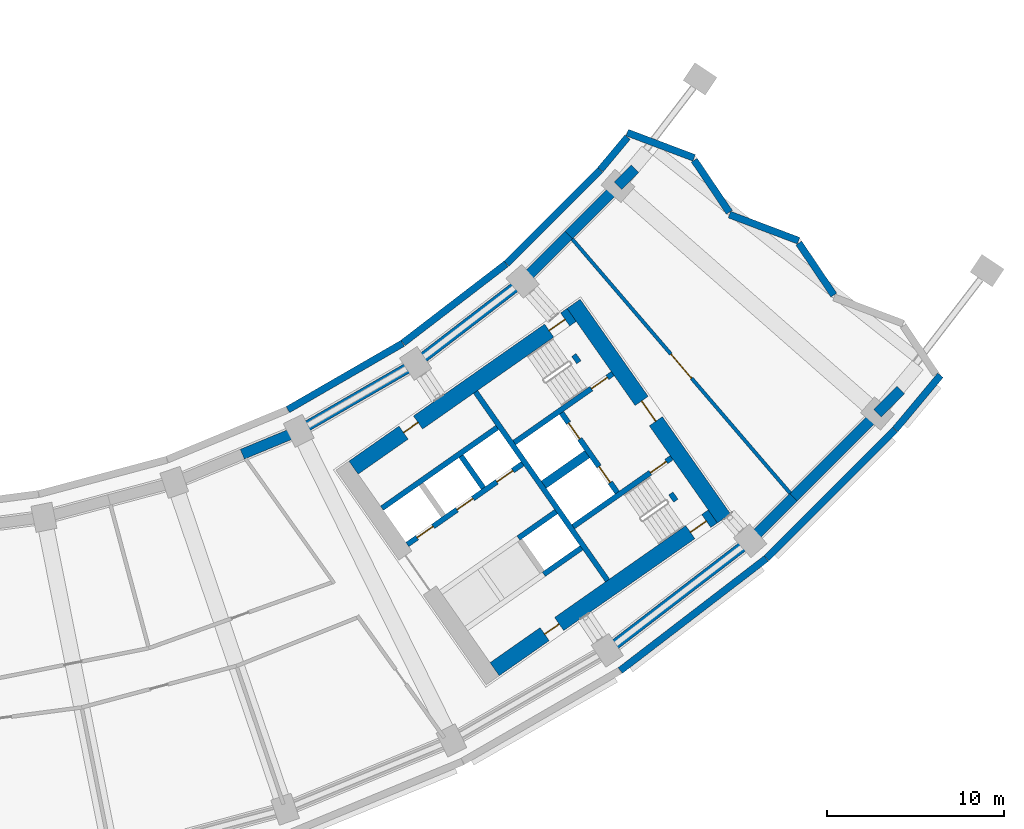
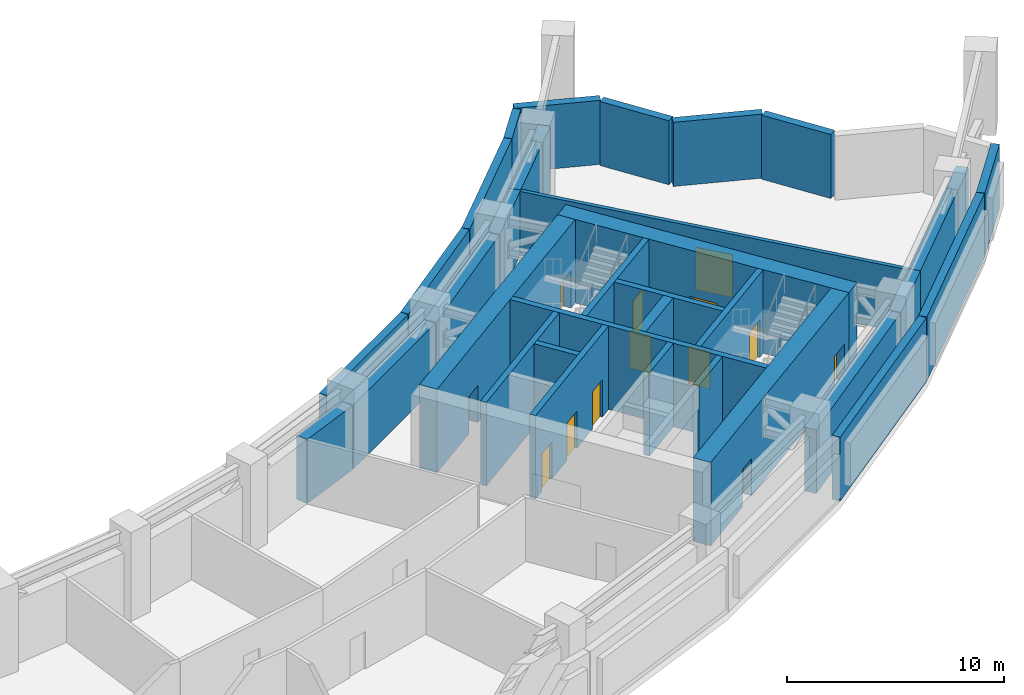
# One storey, part 9 of 25: 37 walls, 13 doors, 13 openings.
"""IFC4 building model written with IfcOpenShell, lengths in metres."""

from ifc_helpers import new_model, si_unit, direction, frame, frame_2d, origin, place, context, subcontext, project, spatial, rectangle, extrude, material, layer, layer_set, type_object, element, fill, save


model = new_model("IFC4")

# Units and contexts
model_context = context("Model", 3, precision=1e-05, world=origin(), true_north=direction((0.0, 1.0)))
body_context = subcontext(model_context, "Body", "Model", "MODEL_VIEW")
ifc_project = project(units=[si_unit("LENGTHUNIT", "METRE"), si_unit("AREAUNIT", "SQUARE_METRE"), si_unit("VOLUMEUNIT", "CUBIC_METRE"), si_unit("PLANEANGLEUNIT", "RADIAN"), si_unit("MASSUNIT", "GRAM", prefix="KILO")], contexts=[model_context])

# Site, building, storey
site_placement = place(None, origin())
site = spatial("IfcSite", under=ifc_project, at=site_placement, CompositionType="ELEMENT")
building_placement = place(site_placement, origin())
building = spatial("IfcBuilding", under=site, at=building_placement, Name="Qamariyya Broadcast Tower", CompositionType="ELEMENT")
storey_placement = place(building_placement, frame((0.0, 0.0, 144.300048828125)))
storey = spatial("IfcBuildingStorey", under=building, at=storey_placement, Name="L33", CompositionType="ELEMENT", Elevation=144.300048828125)

# Wall, opening, door
ifc_material_1 = material(Name="Concrete C70/85", Category="concrete")
ifc_layer_1 = layer(ifc_material_1, 0.89990234375)
ifc_layer_set_1 = layer_set([ifc_layer_1], Name="Core wall 900 mm Concrete C70/85")
wall_type_1 = type_object("IfcWallType", Name="Core wall 900 mm Concrete C70/85", PredefinedType="SHEAR", material=ifc_layer_set_1)
wall_1_placement = place(storey_placement, frame((49.778564453125, -57.191162109375, 0.0), z_axis=(0.0, 0.0, 1.0), x_axis=(-0.573577477574, 0.819151315216, 0.0)))
wall_1 = element("IfcWall", 1, at=wall_1_placement, inside=storey, type_object=wall_type_1, Name="k-E-L33-WH", PredefinedType="SHEAR", context=body_context, shape_type="SweptSolid", body=[
    extrude(rectangle(XDim=14.800048828125, YDim=0.89990234375, at=frame_2d((7.39990234375, 0.0))), origin(), (0.0, 0.0, 1.0), 4.699951171875),
])
opening_1_placement = place(wall_1_placement, frame((6.699951171875, 0.0, 0.0)))
opening_1 = element("IfcOpeningElement", 2, at=opening_1_placement, cuts=wall_1, Name="Opening KD2-E1", PredefinedType="OPENING", context=body_context, shape_type="SweptSolid", body=[
    extrude(rectangle(XDim=1.39990234375, YDim=2.10009765625, at=frame_2d((0.699951171875, 1.050048828125))), frame((0.0, 0.4599609375, 0.0), z_axis=(0.0, -1.0, 0.0), x_axis=(1.0, 0.0, 0.0)), (0.0, 0.0, 1.0), 0.919921875),
])
ifc_material_2 = material(Name="Steel fire-resisting door leaf", Category="steel")
door_type_1 = type_object("IfcDoorType", Name="Fire-fighting lobby door KD2", OperationType="DOUBLE_DOOR_SINGLE_SWING", PredefinedType="DOOR", material=ifc_material_2)
door_1_placement = place(opening_1_placement, origin())
door_1 = element("IfcDoor", 3, at=door_1_placement, inside=storey, type_object=door_type_1, Name="k-E-L33-WH-D9", OperationType="DOUBLE_DOOR_SINGLE_SWING", OverallHeight=2.10009765625, OverallWidth=1.39990234375, PredefinedType="DOOR", context=body_context, shape_type="SweptSolid", body=[
    extrude(rectangle(XDim=1.39990234375, YDim=2.10009765625, at=frame_2d((0.699951171875, 1.050048828125))), frame((0.0, 0.02490234375, 0.0), z_axis=(0.0, -1.0, 0.0), x_axis=(1.0, 0.0, 0.0)), (0.0, 0.0, 1.0), 0.050048828125),
])
fill(opening_1, door_1)

# Wall, openings, doors
wall_2_placement = place(storey_placement, frame((28.8544921875, -54.32421875, 0.0), z_axis=(0.0, 0.0, 1.0), x_axis=(0.819145767589, 0.573585400304, 0.0)))
wall_2 = element("IfcWall", 4, at=wall_2_placement, inside=storey, type_object=wall_type_1, Name="k-E-L33-WI", PredefinedType="SHEAR", context=body_context, shape_type="SweptSolid", body=[
    extrude(rectangle(XDim=15.04541015625, YDim=0.89990234375, at=frame_2d((7.522705078125, 0.0))), origin(), (0.0, 0.0, 1.0), 4.699951171875),
])
opening_2_placement = place(wall_2_placement, frame((3.449951171875, 0.0, 0.0)))
opening_2 = element("IfcOpeningElement", 5, at=opening_2_placement, cuts=wall_2, Name="Opening KD4-E1", PredefinedType="OPENING", context=body_context, shape_type="SweptSolid", body=[
    extrude(rectangle(XDim=1.0, YDim=2.10009765625, at=frame_2d((0.5, 1.050048828125))), frame((0.0, 0.4599609375, 0.0), z_axis=(0.0, -1.0, 0.0), x_axis=(1.0, 0.0, 0.0)), (0.0, 0.0, 1.0), 0.919921875),
])
opening_3_placement = place(wall_2_placement, frame((13.495361328125, 0.0, 0.0)))
opening_3 = element("IfcOpeningElement", 6, at=opening_3_placement, cuts=wall_2, Name="Opening KD1-E1", PredefinedType="OPENING", context=body_context, shape_type="SweptSolid", body=[
    extrude(rectangle(XDim=1.10009765625, YDim=2.10009765625, at=frame_2d((0.550048828125, 1.050048828125))), frame((0.0, 0.4599609375, 0.0), z_axis=(0.0, -1.0, 0.0), x_axis=(1.0, 0.0, 0.0)), (0.0, 0.0, 1.0), 0.919921875),
])
door_type_2 = type_object("IfcDoorType", Name="Riser and plant door KD4", OperationType="SINGLE_SWING_LEFT", PredefinedType="DOOR", material=ifc_material_2)
door_2_placement = place(opening_2_placement, origin())
door_2 = element("IfcDoor", 7, at=door_2_placement, inside=storey, type_object=door_type_2, Name="k-E-L33-WI-D5", OperationType="SINGLE_SWING_LEFT", OverallHeight=2.10009765625, OverallWidth=1.0, PredefinedType="DOOR", context=body_context, shape_type="SweptSolid", body=[
    extrude(rectangle(XDim=1.0, YDim=2.10009765625, at=frame_2d((0.5, 1.050048828125))), frame((0.0, 0.02490234375, 0.0), z_axis=(0.0, -1.0, 0.0), x_axis=(1.0, 0.0, 0.0)), (0.0, 0.0, 1.0), 0.050048828125),
])
fill(opening_2, door_2)
door_type_3 = type_object("IfcDoorType", Name="Stair door KD1", OperationType="SINGLE_SWING_LEFT", PredefinedType="DOOR", material=ifc_material_2)
door_3_placement = place(opening_3_placement, origin())
door_3 = element("IfcDoor", 8, at=door_3_placement, inside=storey, type_object=door_type_3, Name="k-E-L33-WI-D10", OperationType="SINGLE_SWING_RIGHT", OverallHeight=2.10009765625, OverallWidth=1.10009765625, PredefinedType="DOOR", context=body_context, shape_type="SweptSolid", body=[
    extrude(rectangle(XDim=1.10009765625, YDim=2.10009765625, at=frame_2d((0.550048828125, 1.050048828125))), frame((0.0, 0.02490234375, 0.0), z_axis=(0.0, -1.0, 0.0), x_axis=(1.0, 0.0, 0.0)), (0.0, 0.0, 1.0), 0.050048828125),
])
fill(opening_3, door_3)

wall_3_placement = place(storey_placement, frame((36.827392578125, -65.710205078125, 0.0), z_axis=(0.0, 0.0, 1.0), x_axis=(0.819153391756, 0.573574511963, 0.0)))
wall_3 = element("IfcWall", 9, at=wall_3_placement, inside=storey, type_object=wall_type_1, Name="k-E-L33-WO", PredefinedType="SHEAR", context=body_context, shape_type="SweptSolid", body=[
    extrude(rectangle(XDim=15.04541015625, YDim=0.89990234375, at=frame_2d((7.522705078125, 0.0))), origin(), (0.0, 0.0, 1.0), 4.699951171875),
])
opening_4_placement = place(wall_3_placement, frame((3.449951171875, 0.0, 0.0)))
opening_4 = element("IfcOpeningElement", 10, at=opening_4_placement, cuts=wall_3, Name="Opening KD4-E2", PredefinedType="OPENING", context=body_context, shape_type="SweptSolid", body=[
    extrude(rectangle(XDim=1.0, YDim=2.10009765625, at=frame_2d((0.5, 1.050048828125))), frame((0.0, 0.4599609375, 0.0), z_axis=(0.0, -1.0, 0.0), x_axis=(1.0, 0.0, 0.0)), (0.0, 0.0, 1.0), 0.919921875),
])
opening_5_placement = place(wall_3_placement, frame((13.495361328125, 0.0, 0.0)))
opening_5 = element("IfcOpeningElement", 11, at=opening_5_placement, cuts=wall_3, Name="Opening KD1-E3", PredefinedType="OPENING", context=body_context, shape_type="SweptSolid", body=[
    extrude(rectangle(XDim=1.10009765625, YDim=2.10009765625, at=frame_2d((0.550048828125, 1.050048828125))), frame((0.0, 0.4599609375, 0.0), z_axis=(0.0, -1.0, 0.0), x_axis=(1.0, 0.0, 0.0)), (0.0, 0.0, 1.0), 0.919921875),
])
door_4_placement = place(opening_4_placement, origin())
door_4 = element("IfcDoor", 12, at=door_4_placement, inside=storey, type_object=door_type_2, Name="k-E-L33-WO-D6", OperationType="SINGLE_SWING_RIGHT", OverallHeight=2.10009765625, OverallWidth=1.0, PredefinedType="DOOR", context=body_context, shape_type="SweptSolid", body=[
    extrude(rectangle(XDim=1.0, YDim=2.10009765625, at=frame_2d((0.5, 1.050048828125))), frame((0.0, 0.02490234375, 0.0), z_axis=(0.0, -1.0, 0.0), x_axis=(1.0, 0.0, 0.0)), (0.0, 0.0, 1.0), 0.050048828125),
])
fill(opening_4, door_4)
door_5_placement = place(opening_5_placement, origin())
door_5 = element("IfcDoor", 13, at=door_5_placement, inside=storey, type_object=door_type_3, Name="k-E-L33-WO-D12", OperationType="SINGLE_SWING_LEFT", OverallHeight=2.10009765625, OverallWidth=1.10009765625, PredefinedType="DOOR", context=body_context, shape_type="SweptSolid", body=[
    extrude(rectangle(XDim=1.10009765625, YDim=2.10009765625, at=frame_2d((0.550048828125, 1.050048828125))), frame((0.0, 0.02490234375, 0.0), z_axis=(0.0, -1.0, 0.0), x_axis=(1.0, 0.0, 0.0)), (0.0, 0.0, 1.0), 0.050048828125),
])
fill(opening_5, door_5)

# Walls
ifc_material_3 = material(Name="Concrete C60/75", Category="concrete")
ifc_layer_2 = layer(ifc_material_3, 0.5)
ifc_layer_set_2 = layer_set([ifc_layer_2], Name="Fire-fighting lobby divider wall 500 mm Concrete C60/75")
wall_type_2 = type_object("IfcWallType", Name="Fire-fighting lobby divider wall 500 mm Concrete C60/75", PredefinedType="SOLIDWALL", material=ifc_layer_set_2)
wall_4_placement = place(storey_placement, frame((39.59912109375, -55.28515625, 0.0), z_axis=(0.0, 0.0, 1.0), x_axis=(0.819136323161, 0.573598887793, 0.0)))
element("IfcWall", 14, at=wall_4_placement, inside=storey, type_object=wall_type_2, Name="k-E-L33-FD", PredefinedType="SOLIDWALL", context=body_context, shape_type="SweptSolid", body=[
    extrude(rectangle(XDim=2.999755859375, YDim=0.5, at=frame_2d((1.5, 0.0))), origin(), (0.0, 0.0, 1.0), 4.699951171875),
])
ifc_layer_3 = layer(ifc_material_3, 0.300048828125)
ifc_layer_set_3 = layer_set([ifc_layer_3], Name="Lift shaft wall 300 mm Concrete C60/75")
wall_type_3 = type_object("IfcWallType", Name="Lift shaft wall 300 mm Concrete C60/75", PredefinedType="SOLIDWALL", material=ifc_layer_set_3)
wall_5_placement = place(storey_placement, frame((43.204345703125, -60.69580078125, 0.0), z_axis=(0.0, 0.0, 1.0), x_axis=(-0.573571992966, 0.819155155563, 0.0)))
element("IfcWall", 15, at=wall_5_placement, inside=storey, type_object=wall_type_3, Name="k-E-L33-WL", PredefinedType="SOLIDWALL", context=body_context, shape_type="SweptSolid", body=[
    extrude(rectangle(XDim=13.000244140625, YDim=0.300048828125, at=frame_2d((6.5, 0.0))), origin(), (0.0, 0.0, 1.0), 4.699951171875),
])

# Wall, openings, doors
wall_6_placement = place(storey_placement, frame((31.89453125, -58.66552734375, 0.0), z_axis=(0.0, 0.0, 1.0), x_axis=(0.819166993208, 0.573555086491, 0.0)))
wall_6 = element("IfcWall", 16, at=wall_6_placement, inside=storey, type_object=wall_type_3, Name="k-E-L33-NF0", PredefinedType="SOLIDWALL", context=body_context, shape_type="SweptSolid", body=[
    extrude(rectangle(XDim=7.9501953125, YDim=0.300048828125, at=frame_2d((3.97509765625, 0.0))), origin(), (0.0, 0.0, 1.0), 4.699951171875),
])
opening_6_placement = place(wall_6_placement, frame((0.675048828125, 0.0, 0.0)))
opening_6 = element("IfcOpeningElement", 17, at=opening_6_placement, cuts=wall_6, Name="Opening LD", PredefinedType="OPENING", context=body_context, shape_type="SweptSolid", body=[
    extrude(rectangle(XDim=1.10009765625, YDim=2.10009765625, at=frame_2d((0.550048828125, 1.050048828125))), frame((0.0, 0.159912109375, 0.0), z_axis=(0.0, -1.0, 0.0), x_axis=(1.0, 0.0, 0.0)), (0.0, 0.0, 1.0), 0.320068359375),
])
opening_7_placement = place(wall_6_placement, frame((3.425048828125, 0.0, 0.0)))
opening_7 = element("IfcOpeningElement", 18, at=opening_7_placement, cuts=wall_6, Name="Opening LD", PredefinedType="OPENING", context=body_context, shape_type="SweptSolid", body=[
    extrude(rectangle(XDim=1.10009765625, YDim=2.10009765625, at=frame_2d((0.550048828125, 1.050048828125))), frame((0.0, 0.159912109375, 0.0), z_axis=(0.0, -1.0, 0.0), x_axis=(1.0, 0.0, 0.0)), (0.0, 0.0, 1.0), 0.320068359375),
])
opening_8_placement = place(wall_6_placement, frame((6.175048828125, 0.0, 0.0)))
opening_8 = element("IfcOpeningElement", 19, at=opening_8_placement, cuts=wall_6, Name="Opening LD", PredefinedType="OPENING", context=body_context, shape_type="SweptSolid", body=[
    extrude(rectangle(XDim=1.10009765625, YDim=2.10009765625, at=frame_2d((0.550048828125, 1.050048828125))), frame((0.0, 0.159912109375, 0.0), z_axis=(0.0, -1.0, 0.0), x_axis=(1.0, 0.0, 0.0)), (0.0, 0.0, 1.0), 0.320068359375),
])
door_type_4 = type_object("IfcDoorType", Name="Lift landing door LD", OperationType="DOUBLE_DOOR_SLIDING", PredefinedType="DOOR", material=ifc_material_2)
door_6_placement = place(opening_6_placement, origin())
door_6 = element("IfcDoor", 20, at=door_6_placement, inside=storey, type_object=door_type_4, Name="k-E-L33-NF0-D2", OperationType="DOUBLE_DOOR_SLIDING", OverallHeight=2.10009765625, OverallWidth=1.10009765625, PredefinedType="DOOR", context=body_context, shape_type="SweptSolid", body=[
    extrude(rectangle(XDim=1.10009765625, YDim=2.10009765625, at=frame_2d((0.550048828125, 1.050048828125))), frame((0.0, 0.02490234375, 0.0), z_axis=(0.0, -1.0, 0.0), x_axis=(1.0, 0.0, 0.0)), (0.0, 0.0, 1.0), 0.050048828125),
])
fill(opening_6, door_6)
door_7_placement = place(opening_7_placement, origin())
door_7 = element("IfcDoor", 21, at=door_7_placement, inside=storey, type_object=door_type_4, Name="k-E-L33-NF0-D3", OperationType="DOUBLE_DOOR_SLIDING", OverallHeight=2.10009765625, OverallWidth=1.10009765625, PredefinedType="DOOR", context=body_context, shape_type="SweptSolid", body=[
    extrude(rectangle(XDim=1.10009765625, YDim=2.10009765625, at=frame_2d((0.550048828125, 1.050048828125))), frame((0.0, 0.02490234375, 0.0), z_axis=(0.0, -1.0, 0.0), x_axis=(1.0, 0.0, 0.0)), (0.0, 0.0, 1.0), 0.050048828125),
])
fill(opening_7, door_7)
door_8_placement = place(opening_8_placement, origin())
door_8 = element("IfcDoor", 22, at=door_8_placement, inside=storey, type_object=door_type_4, Name="k-E-L33-NF0-D4", OperationType="DOUBLE_DOOR_SLIDING", OverallHeight=2.10009765625, OverallWidth=1.10009765625, PredefinedType="DOOR", context=body_context, shape_type="SweptSolid", body=[
    extrude(rectangle(XDim=1.10009765625, YDim=2.10009765625, at=frame_2d((0.550048828125, 1.050048828125))), frame((0.0, 0.02490234375, 0.0), z_axis=(0.0, -1.0, 0.0), x_axis=(1.0, 0.0, 0.0)), (0.0, 0.0, 1.0), 0.050048828125),
])
fill(opening_8, door_8)

# Walls
wall_7_placement = place(storey_placement, frame((30.460693359375, -56.61767578125, 0.0), z_axis=(0.0, 0.0, 1.0), x_axis=(0.819142461705, 0.573590121456, 0.0)))
element("IfcWall", 23, at=wall_7_placement, inside=storey, type_object=wall_type_3, Name="k-E-L33-NB0", PredefinedType="SOLIDWALL", context=body_context, shape_type="SweptSolid", body=[
    extrude(rectangle(XDim=7.949951171875, YDim=0.300048828125, at=frame_2d((3.97509765625, 0.0))), origin(), (0.0, 0.0, 1.0), 4.699951171875),
])
wall_8_placement = place(storey_placement, frame((36.19091796875, -55.47412109375, 0.0), z_axis=(0.0, 0.0, 1.0), x_axis=(-0.573507030513, 0.819200638399, 0.0)))
element("IfcWall", 24, at=wall_8_placement, inside=storey, type_object=wall_type_3, Name="k-E-L33-ND1", PredefinedType="SOLIDWALL", context=body_context, shape_type="SweptSolid", body=[
    extrude(rectangle(XDim=2.199951171875, YDim=0.300048828125, at=frame_2d((1.10009765625, 0.0))), origin(), (0.0, 0.0, 1.0), 4.699951171875),
])
for number, where, z_axis, x_axis, name in (
    (25, (38.169921875, -58.300048828125, 0.0), (0.0, 0.0, 1.0), (0.819178980414, 0.573537965655, 0.0), "k-E-L33-SF1"),
    (26, (39.603759765625, -60.347900390625, 0.0), (0.0, 0.0, 1.0), (0.819178980414, 0.573537965655, 0.0), "k-E-L33-SB1"),
):
    element("IfcWall", number, at=place(storey_placement, frame(where, z_axis=z_axis, x_axis=x_axis)), inside=storey, type_object=wall_type_3, Name=name, PredefinedType="SOLIDWALL", context=body_context, shape_type="SweptSolid", body=[
        extrude(rectangle(XDim=2.60009765625, YDim=0.300048828125, at=frame_2d((1.300048828125, 0.0))), origin(), (0.0, 0.0, 1.0), 4.699951171875),
    ])

# Wall, opening, door
wall_9_placement = place(storey_placement, frame((37.935546875, -52.90966796875, 0.0), z_axis=(0.0, 0.0, 1.0), x_axis=(0.819147518138, 0.57358290031, 0.0)))
wall_9 = element("IfcWall", 27, at=wall_9_placement, inside=storey, type_object=wall_type_3, Name="k-E-L33-NW", PredefinedType="SOLIDWALL", context=body_context, shape_type="SweptSolid", body=[
    extrude(rectangle(XDim=6.79541015625, YDim=0.300048828125, at=frame_2d((3.397705078125, 0.0))), origin(), (0.0, 0.0, 1.0), 4.699951171875),
])
opening_9_placement = place(wall_9_placement, frame((5.3203125, 0.0, 0.0)))
opening_9 = element("IfcOpeningElement", 28, at=opening_9_placement, cuts=wall_9, Name="Opening KD1-E2", PredefinedType="OPENING", context=body_context, shape_type="SweptSolid", body=[
    extrude(rectangle(XDim=1.10009765625, YDim=2.10009765625, at=frame_2d((0.550048828125, 1.050048828125))), frame((0.0, 0.159912109375, 0.0), z_axis=(0.0, -1.0, 0.0), x_axis=(1.0, 0.0, 0.0)), (0.0, 0.0, 1.0), 0.320068359375),
])
door_9_placement = place(opening_9_placement, origin())
door_9 = element("IfcDoor", 29, at=door_9_placement, inside=storey, type_object=door_type_3, Name="k-E-L33-NW-D11", OperationType="SINGLE_SWING_LEFT", OverallHeight=2.10009765625, OverallWidth=1.10009765625, PredefinedType="DOOR", context=body_context, shape_type="SweptSolid", body=[
    extrude(rectangle(XDim=1.10009765625, YDim=2.10009765625, at=frame_2d((0.550048828125, 1.050048828125))), frame((0.0, 0.02490234375, 0.0), z_axis=(0.0, -1.0, 0.0), x_axis=(1.0, 0.0, 0.0)), (0.0, 0.0, 1.0), 0.050048828125),
])
fill(opening_9, door_9)

wall_10_placement = place(storey_placement, frame((41.262451171875, -57.66064453125, 0.0), z_axis=(0.0, 0.0, 1.0), x_axis=(0.819164398642, 0.573558792102, 0.0)))
wall_10 = element("IfcWall", 30, at=wall_10_placement, inside=storey, type_object=wall_type_3, Name="k-E-L33-SW", PredefinedType="SOLIDWALL", context=body_context, shape_type="SweptSolid", body=[
    extrude(rectangle(XDim=6.795166015625, YDim=0.300048828125, at=frame_2d((3.3974609375, 0.0))), origin(), (0.0, 0.0, 1.0), 4.699951171875),
])
opening_10_placement = place(wall_10_placement, frame((5.3203125, 0.0, 0.0)))
opening_10 = element("IfcOpeningElement", 31, at=opening_10_placement, cuts=wall_10, Name="Opening KD1-E4", PredefinedType="OPENING", context=body_context, shape_type="SweptSolid", body=[
    extrude(rectangle(XDim=1.10009765625, YDim=2.10009765625, at=frame_2d((0.550048828125, 1.050048828125))), frame((0.0, 0.159912109375, 0.0), z_axis=(0.0, -1.0, 0.0), x_axis=(1.0, 0.0, 0.0)), (0.0, 0.0, 1.0), 0.320068359375),
])
door_10_placement = place(opening_10_placement, origin())
door_10 = element("IfcDoor", 32, at=door_10_placement, inside=storey, type_object=door_type_3, Name="k-E-L33-SW-D13", OperationType="SINGLE_SWING_LEFT", OverallHeight=2.10009765625, OverallWidth=1.10009765625, PredefinedType="DOOR", context=body_context, shape_type="SweptSolid", body=[
    extrude(rectangle(XDim=1.10009765625, YDim=2.10009765625, at=frame_2d((0.550048828125, 1.050048828125))), frame((0.0, 0.02490234375, 0.0), z_axis=(0.0, -1.0, 0.0), x_axis=(1.0, 0.0, 0.0)), (0.0, 0.0, 1.0), 0.050048828125),
])
fill(opening_10, door_10)

# Wall, openings, doors
wall_11_placement = place(storey_placement, frame((43.756591796875, -55.731201171875, 0.0), z_axis=(0.0, 0.0, 1.0), x_axis=(-0.573536818435, 0.819179783625, 0.0)))
wall_11 = element("IfcWall", 33, at=wall_11_placement, inside=storey, type_object=wall_type_3, Name="k-E-L33-FF", PredefinedType="SOLIDWALL", context=body_context, shape_type="SweptSolid", body=[
    extrude(rectangle(XDim=5.500244140625, YDim=0.300048828125, at=frame_2d((2.75, 0.0))), origin(), (0.0, 0.0, 1.0), 4.699951171875),
])
opening_11_placement = place(wall_11_placement, frame((0.699951171875, 0.0, 0.0)))
opening_11 = element("IfcOpeningElement", 34, at=opening_11_placement, cuts=wall_11, Name="Opening LD", PredefinedType="OPENING", context=body_context, shape_type="SweptSolid", body=[
    extrude(rectangle(XDim=1.10009765625, YDim=2.10009765625, at=frame_2d((0.550048828125, 1.050048828125))), frame((0.0, 0.159912109375, 0.0), z_axis=(0.0, -1.0, 0.0), x_axis=(1.0, 0.0, 0.0)), (0.0, 0.0, 1.0), 0.320068359375),
])
opening_12_placement = place(wall_11_placement, frame((3.699951171875, 0.0, 0.0)))
opening_12 = element("IfcOpeningElement", 35, at=opening_12_placement, cuts=wall_11, Name="Opening LD", PredefinedType="OPENING", context=body_context, shape_type="SweptSolid", body=[
    extrude(rectangle(XDim=1.10009765625, YDim=2.10009765625, at=frame_2d((0.550048828125, 1.050048828125))), frame((0.0, 0.159912109375, 0.0), z_axis=(0.0, -1.0, 0.0), x_axis=(1.0, 0.0, 0.0)), (0.0, 0.0, 1.0), 0.320068359375),
])
door_11_placement = place(opening_11_placement, origin())
door_11 = element("IfcDoor", 36, at=door_11_placement, inside=storey, type_object=door_type_4, Name="k-E-L33-FF-D7", OperationType="DOUBLE_DOOR_SLIDING", OverallHeight=2.10009765625, OverallWidth=1.10009765625, PredefinedType="DOOR", context=body_context, shape_type="SweptSolid", body=[
    extrude(rectangle(XDim=1.10009765625, YDim=2.10009765625, at=frame_2d((0.550048828125, 1.050048828125))), frame((0.0, 0.02490234375, 0.0), z_axis=(0.0, -1.0, 0.0), x_axis=(1.0, 0.0, 0.0)), (0.0, 0.0, 1.0), 0.050048828125),
])
fill(opening_11, door_11)
door_12_placement = place(opening_12_placement, origin())
door_12 = element("IfcDoor", 37, at=door_12_placement, inside=storey, type_object=door_type_4, Name="k-E-L33-FF-D8", OperationType="DOUBLE_DOOR_SLIDING", OverallHeight=2.10009765625, OverallWidth=1.10009765625, PredefinedType="DOOR", context=body_context, shape_type="SweptSolid", body=[
    extrude(rectangle(XDim=1.10009765625, YDim=2.10009765625, at=frame_2d((0.550048828125, 1.050048828125))), frame((0.0, 0.02490234375, 0.0), z_axis=(0.0, -1.0, 0.0), x_axis=(1.0, 0.0, 0.0)), (0.0, 0.0, 1.0), 0.050048828125),
])
fill(opening_12, door_12)

# Walls
wall_12_placement = place(storey_placement, frame((41.30029296875, -47.959716796875, 0.0), z_axis=(0.0, 0.0, 1.0), x_axis=(0.573495128918, -0.819208970354, 0.0)))
element("IfcWall", 38, at=wall_12_placement, inside=storey, type_object=wall_type_3, Name="k-E-L33-E2PR", PredefinedType="SOLIDWALL", context=body_context, shape_type="SweptSolid", body=[
    extrude(rectangle(XDim=0.499755859375, YDim=0.300048828125, at=frame_2d((0.25, 0.0))), origin(), (0.0, 0.0, 1.0), 2.300048828125),
])
wall_13_placement = place(storey_placement, frame((46.77783203125, -55.782470703125, 0.0), z_axis=(0.0, 0.0, 1.0), x_axis=(0.573822822947, -0.818979467304, 0.0)))
element("IfcWall", 39, at=wall_13_placement, inside=storey, type_object=wall_type_3, Name="k-E-L33-E1PR", PredefinedType="SOLIDWALL", context=body_context, shape_type="SweptSolid", body=[
    extrude(rectangle(XDim=0.5, YDim=0.300048828125, at=frame_2d((0.25, 0.0))), origin(), (0.0, 0.0, 1.0), 2.300048828125),
])

# Wall, opening, door
ifc_material_4 = material(Name="Masonry block wall", Category="masonry")
ifc_layer_4 = layer(ifc_material_4, 0.199951171875)
ifc_layer_set_4 = layer_set([ifc_layer_4], Name="Plant room wall 200 EI 120")
wall_type_4 = type_object("IfcWallType", Name="Plant room wall 200 EI 120", PredefinedType="PARTITIONING", material=ifc_layer_set_4)
wall_14_placement = place(storey_placement, frame((41.212158203125, -41.412353515625, 0.0), z_axis=(0.0, 0.0, 1.0), x_axis=(0.650990118882, -0.75908620401, 0.0)))
wall_14 = element("IfcWall", 40, at=wall_14_placement, inside=storey, type_object=wall_type_4, Name="Partition L33-066", PredefinedType="PARTITIONING", context=body_context, shape_type="SweptSolid", body=[
    extrude(rectangle(XDim=18.915283203125, YDim=0.199951171875, at=frame_2d((9.45751953125, 0.0))), origin(), (0.0, 0.0, 1.0), 3.599853515625),
])
opening_13_placement = place(wall_14_placement, frame((8.5576171875, 0.0, 0.0)))
opening_13 = element("IfcOpeningElement", 41, at=opening_13_placement, cuts=wall_14, Name="Opening L33-D13", PredefinedType="OPENING", context=body_context, shape_type="SweptSolid", body=[
    extrude(rectangle(XDim=1.800048828125, YDim=2.39990234375, at=frame_2d((0.89990234375, 1.199951171875))), frame((0.0, 0.10986328125, 0.0), z_axis=(0.0, -1.0, 0.0), x_axis=(1.0, 0.0, 0.0)), (0.0, 0.0, 1.0), 0.219970703125),
])
ifc_material_5 = material(Name="Insulated metal door leaf")
door_type_5 = type_object("IfcDoorType", Name="Plant double door 1800 x 2400 FD120", OperationType="NOTDEFINED", PredefinedType="DOOR", material=ifc_material_5)
door_13_placement = place(opening_13_placement, origin())
door_13 = element("IfcDoor", 42, at=door_13_placement, inside=storey, type_object=door_type_5, Name="Door L33-D13", OperationType="DOUBLE_DOOR_SINGLE_SWING", OverallHeight=2.39990234375, OverallWidth=1.800048828125, PredefinedType="DOOR", context=body_context, shape_type="SweptSolid", body=[
    extrude(rectangle(XDim=1.800048828125, YDim=2.39990234375, at=frame_2d((0.89990234375, 1.199951171875))), frame((0.0, 0.02490234375, 0.0), z_axis=(0.0, -1.0, 0.0), x_axis=(1.0, 0.0, 0.0)), (0.0, 0.0, 1.0), 0.050048828125),
])
fill(opening_13, door_13)

# Walls
ifc_material_6 = material(Name="Terracotta", Category="masonry")
ifc_layer_5 = layer(ifc_material_6, 0.39990234375)
ifc_layer_set_5 = layer_set([ifc_layer_5], Name="Terracotta clad plant wall 400")
wall_type_5 = type_object("IfcWallType", Name="Terracotta clad plant wall 400", PredefinedType="SOLIDWALL", material=ifc_layer_set_5)
wall_15_placement = place(storey_placement, frame((55.990478515625, -44.57568359375, 0.0), z_axis=(0.0, 0.0, 1.0), x_axis=(-0.558746380234, 0.829338581386, 0.0)))
element("IfcWall", 43, at=wall_15_placement, inside=storey, type_object=wall_type_5, Name="e-wl-L33-capE2", PredefinedType="SOLIDWALL", context=body_context, shape_type="SweptSolid", body=[
    extrude(rectangle(XDim=3.544921875, YDim=0.39990234375, at=frame_2d((1.7724609375, 0.0))), origin(), (0.0, 0.0, 1.0), 3.599853515625),
])
wall_16_placement = place(storey_placement, frame((54.00048828125, -41.5029296875, 0.0), z_axis=(0.0, 0.0, 1.0), x_axis=(-0.935511628749, 0.353295899319, 0.0)))
element("IfcWall", 44, at=wall_16_placement, inside=storey, type_object=wall_type_5, Name="e-wl-L33-capE3", PredefinedType="SOLIDWALL", context=body_context, shape_type="SweptSolid", body=[
    extrude(rectangle(XDim=4.173095703125, YDim=0.39990234375, at=frame_2d((2.08642578125, 0.0))), origin(), (0.0, 0.0, 1.0), 3.599853515625),
])
wall_17_placement = place(storey_placement, frame((50.087158203125, -39.895751953125, 0.0), z_axis=(0.0, 0.0, 1.0), x_axis=(-0.558808176672, 0.829296944215, 0.0)))
element("IfcWall", 45, at=wall_17_placement, inside=storey, type_object=wall_type_5, Name="e-wl-L33-capE4", PredefinedType="SOLIDWALL", context=body_context, shape_type="SweptSolid", body=[
    extrude(rectangle(XDim=3.54638671875, YDim=0.39990234375, at=frame_2d((1.773193359375, 0.0))), origin(), (0.0, 0.0, 1.0), 3.599853515625),
])
wall_18_placement = place(storey_placement, frame((48.09619140625, -36.822021484375, 0.0), z_axis=(0.0, 0.0, 1.0), x_axis=(-0.93554220832, 0.353214915386, 0.0)))
element("IfcWall", 46, at=wall_18_placement, inside=storey, type_object=wall_type_5, Name="e-wl-L33-capE5", PredefinedType="SOLIDWALL", context=body_context, shape_type="SweptSolid", body=[
    extrude(rectangle(XDim=4.040771484375, YDim=0.39990234375, at=frame_2d((2.0205078125, 0.0))), origin(), (0.0, 0.0, 1.0), 3.599853515625),
])
wall_19_placement = place(storey_placement, frame((31.6337890625, -47.298583984375, 0.0), z_axis=(0.0, 0.0, 1.0), x_axis=(-0.866030945804, -0.499990400819, 0.0)))
element("IfcWall", 47, at=wall_19_placement, inside=storey, type_object=wall_type_5, Name="e-wl-L33-in130", PredefinedType="SOLIDWALL", context=body_context, shape_type="SweptSolid", body=[
    extrude(rectangle(XDim=7.492919921875, YDim=0.39990234375, at=frame_2d((3.74658203125, 0.0))), origin(), (0.0, 0.0, 1.0), 3.599853515625),
])
wall_20_placement = place(storey_placement, frame((37.476806640625, -42.810791015625, 0.0), z_axis=(0.0, 0.0, 1.0), x_axis=(-0.793355266809, -0.608758918314, 0.0)))
element("IfcWall", 48, at=wall_20_placement, inside=storey, type_object=wall_type_5, Name="e-wl-L33-in140", PredefinedType="SOLIDWALL", context=body_context, shape_type="SweptSolid", body=[
    extrude(rectangle(XDim=7.341552734375, YDim=0.39990234375, at=frame_2d((3.6708984375, 0.0))), origin(), (0.0, 0.0, 1.0), 3.599853515625),
])
wall_21_placement = place(storey_placement, frame((42.791259765625, -37.505859375, 0.0), z_axis=(0.0, 0.0, 1.0), x_axis=(-0.707123092197, -0.7070904698, 0.0)))
element("IfcWall", 49, at=wall_21_placement, inside=storey, type_object=wall_type_5, Name="e-wl-L33-in150", PredefinedType="SOLIDWALL", context=body_context, shape_type="SweptSolid", body=[
    extrude(rectangle(XDim=7.48388671875, YDim=0.39990234375, at=frame_2d((3.741943359375, 0.0))), origin(), (0.0, 0.0, 1.0), 3.599853515625),
])
wall_22_placement = place(storey_placement, frame((44.332763671875, -35.654541015625, 0.0), z_axis=(0.0, 0.0, 1.0), x_axis=(-0.640465546818, -0.767986903104, 0.0)))
element("IfcWall", 50, at=wall_22_placement, inside=storey, type_object=wall_type_5, Name="e-wl-L33-in160", PredefinedType="SOLIDWALL", context=body_context, shape_type="SweptSolid", body=[
    extrude(rectangle(XDim=2.39111328125, YDim=0.39990234375, at=frame_2d((1.195556640625, 0.0))), origin(), (0.0, 0.0, 1.0), 3.599853515625),
])
wall_23_placement = place(storey_placement, frame((43.925537109375, -65.7841796875, 0.0), z_axis=(0.0, 0.0, 1.0), x_axis=(0.793354954009, 0.608759325965, 0.0)))
element("IfcWall", 51, at=wall_23_placement, inside=storey, type_object=wall_type_5, Name="e-wl-L33-out140", PredefinedType="SOLIDWALL", context=body_context, shape_type="SweptSolid", body=[
    extrude(rectangle(XDim=10.396728515625, YDim=0.39990234375, at=frame_2d((5.1982421875, 0.0))), origin(), (0.0, 0.0, 1.0), 3.599853515625),
])
wall_24_placement = place(storey_placement, frame((52.18994140625, -59.434326171875, 0.0), z_axis=(0.0, 0.0, 1.0), x_axis=(0.707094885943, 0.70711867623, 0.0)))
element("IfcWall", 52, at=wall_24_placement, inside=storey, type_object=wall_type_5, Name="e-wl-L33-out150", PredefinedType="SOLIDWALL", context=body_context, shape_type="SweptSolid", body=[
    extrude(rectangle(XDim=10.26220703125, YDim=0.39990234375, at=frame_2d((5.131103515625, 0.0))), origin(), (0.0, 0.0, 1.0), 3.599853515625),
])
wall_25_placement = place(storey_placement, frame((59.460205078125, -52.16650390625, 0.0), z_axis=(0.0, 0.0, 1.0), x_axis=(0.640521763301, 0.767940017669, 0.0)))
element("IfcWall", 53, at=wall_25_placement, inside=storey, type_object=wall_type_5, Name="e-wl-L33-out160", PredefinedType="SOLIDWALL", context=body_context, shape_type="SweptSolid", body=[
    extrude(rectangle(XDim=3.9853515625, YDim=0.39990234375, at=frame_2d((1.99267578125, 0.0))), origin(), (0.0, 0.0, 1.0), 3.599853515625),
])
ifc_layer_6 = layer(ifc_material_4, 0.60009765625)
ifc_layer_set_6 = layer_set([ifc_layer_6], Name="Truss casing wall 600 EI 120")
wall_type_6 = type_object("IfcWallType", Name="Truss casing wall 600 EI 120", PredefinedType="PARTITIONING", material=ifc_layer_set_6)
wall_26_placement = place(storey_placement, frame((22.572265625, -53.564697265625, 0.0), z_axis=(0.0, 0.0, 1.0), x_axis=(0.923868542125, 0.382709964427, 0.0)))
element("IfcWall", 54, at=wall_26_placement, inside=storey, type_object=wall_type_6, Name="Partition L33-056", PredefinedType="PARTITIONING", context=body_context, shape_type="SweptSolid", body=[
    extrude(rectangle(XDim=3.431396484375, YDim=0.60009765625, at=frame_2d((1.7158203125, 0.0))), origin(), (0.0, 0.0, 1.0), 3.599853515625),
])
for number, where, z_axis, x_axis, name in (
    (55, (25.782958984375, -52.2314453125, 0.0), (0.0, 0.0, 1.0), (0.866020793316, 0.500007985481, 0.0), "Partition L33-060"),
    (56, (32.3798828125, -48.419189453125, 0.0), (0.0, 0.0, 1.0), (0.793356751967, 0.6087569828, 0.0), "Partition L33-062"),
):
    element("IfcWall", number, at=place(storey_placement, frame(where, z_axis=z_axis, x_axis=x_axis)), inside=storey, type_object=wall_type_6, Name=name, PredefinedType="PARTITIONING", context=body_context, shape_type="SweptSolid", body=[
        extrude(rectangle(XDim=7.57421875, YDim=0.60009765625, at=frame_2d((3.787109375, 0.0))), origin(), (0.0, 0.0, 1.0), 3.599853515625),
    ])
wall_27_placement = place(storey_placement, frame((38.4228515625, -43.778564453125, 0.0), z_axis=(0.0, 0.0, 1.0), x_axis=(0.707106781187, 0.707106781187, 0.0)))
element("IfcWall", 57, at=wall_27_placement, inside=storey, type_object=wall_type_6, Name="Partition L33-064", PredefinedType="PARTITIONING", context=body_context, shape_type="SweptSolid", body=[
    extrude(rectangle(XDim=3.66845703125, YDim=0.60009765625, at=frame_2d((1.834228515625, 0.0))), origin(), (0.0, 0.0, 1.0), 3.599853515625),
])
wall_28_placement = place(storey_placement, frame((41.016845703125, -41.1845703125, 0.0), z_axis=(0.0, 0.0, 1.0), x_axis=(0.707106781187, 0.707106781187, 0.0)))
element("IfcWall", 58, at=wall_28_placement, inside=storey, type_object=wall_type_6, Name="Partition L33-065", PredefinedType="PARTITIONING", context=body_context, shape_type="SweptSolid", body=[
    extrude(rectangle(XDim=3.92529296875, YDim=0.60009765625, at=frame_2d((1.962646484375, 0.0))), origin(), (0.0, 0.0, 1.0), 3.599853515625),
])
wall_29_placement = place(storey_placement, frame((43.213623046875, -64.633056640625, 0.0), z_axis=(0.0, 0.0, 1.0), x_axis=(0.793339659144, 0.608779258212, 0.0)))
element("IfcWall", 59, at=wall_29_placement, inside=storey, type_object=wall_type_6, Name="Partition L33-067", PredefinedType="PARTITIONING", context=body_context, shape_type="SweptSolid", body=[
    extrude(rectangle(XDim=10.125, YDim=0.60009765625, at=frame_2d((5.0625, 0.0))), origin(), (0.0, 0.0, 1.0), 3.599853515625),
])
wall_30_placement = place(storey_placement, frame((43.796875, -38.40478515625, 0.0), z_axis=(0.0, 0.0, 1.0), x_axis=(0.707106781187, 0.707106781187, 0.0)))
element("IfcWall", 60, at=wall_30_placement, inside=storey, type_object=wall_type_6, Name="Partition L33-068", PredefinedType="PARTITIONING", context=body_context, shape_type="SweptSolid", body=[
    extrude(rectangle(XDim=1.363525390625, YDim=0.60009765625, at=frame_2d((0.681640625, 0.0))), origin(), (0.0, 0.0, 1.0), 3.599853515625),
])
wall_31_placement = place(storey_placement, frame((51.2802734375, -58.439453125, 0.0), z_axis=(0.0, 0.0, 1.0), x_axis=(0.707106781187, 0.707106781187, 0.0)))
element("IfcWall", 61, at=wall_31_placement, inside=storey, type_object=wall_type_6, Name="Partition L33-069", PredefinedType="PARTITIONING", context=body_context, shape_type="SweptSolid", body=[
    extrude(rectangle(XDim=3.451904296875, YDim=0.60009765625, at=frame_2d((1.72607421875, 0.0))), origin(), (0.0, 0.0, 1.0), 3.599853515625),
])
wall_32_placement = place(storey_placement, frame((53.72119140625, -55.99853515625, 0.0), z_axis=(0.0, 0.0, 1.0), x_axis=(0.707106781187, 0.707106781187, 0.0)))
element("IfcWall", 62, at=wall_32_placement, inside=storey, type_object=wall_type_6, Name="Partition L33-070", PredefinedType="PARTITIONING", context=body_context, shape_type="SweptSolid", body=[
    extrude(rectangle(XDim=6.6923828125, YDim=0.60009765625, at=frame_2d((3.34619140625, 0.0))), origin(), (0.0, 0.0, 1.0), 3.599853515625),
])
wall_33_placement = place(storey_placement, frame((58.457763671875, -51.261962890625, 0.0), z_axis=(0.0, 0.0, 1.0), x_axis=(0.707041637073, 0.707171919299, 0.0)))
element("IfcWall", 63, at=wall_33_placement, inside=storey, type_object=wall_type_6, Name="Partition L33-071", PredefinedType="PARTITIONING", context=body_context, shape_type="SweptSolid", body=[
    extrude(rectangle(XDim=1.8740234375, YDim=0.60009765625, at=frame_2d((0.93701171875, 0.0))), origin(), (0.0, 0.0, 1.0), 3.599853515625),
])

save(model, "model.ifc")
